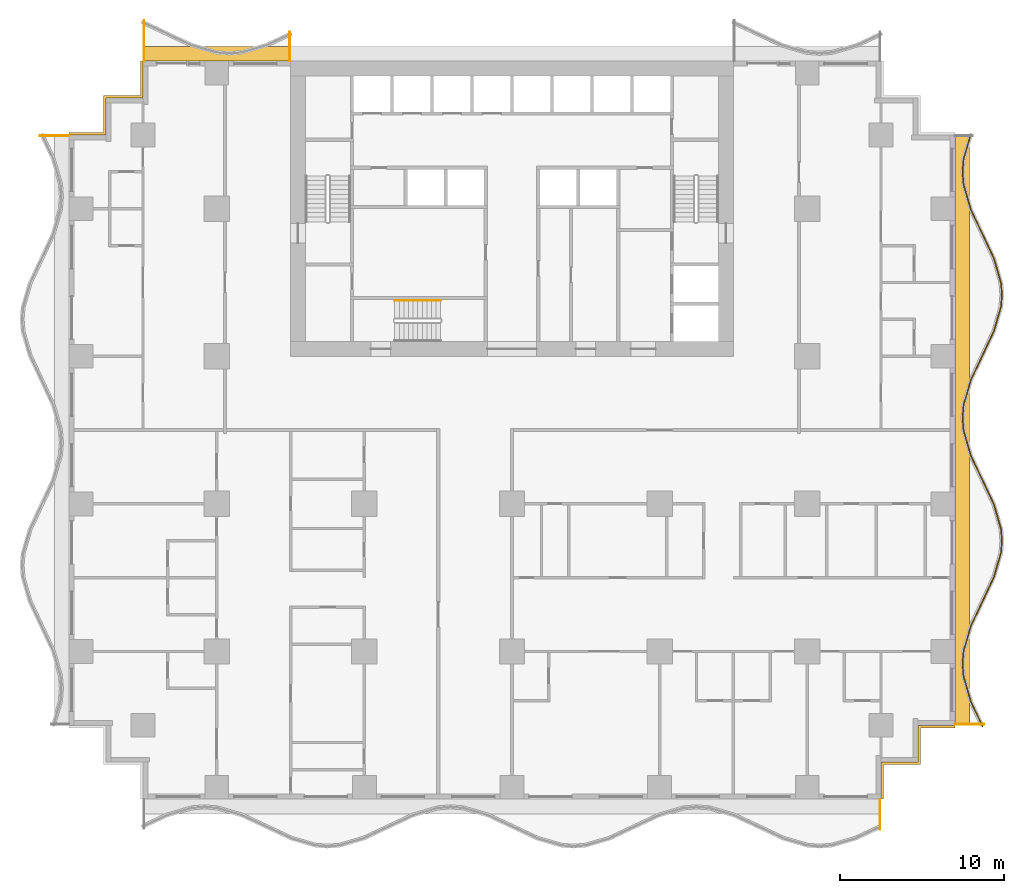
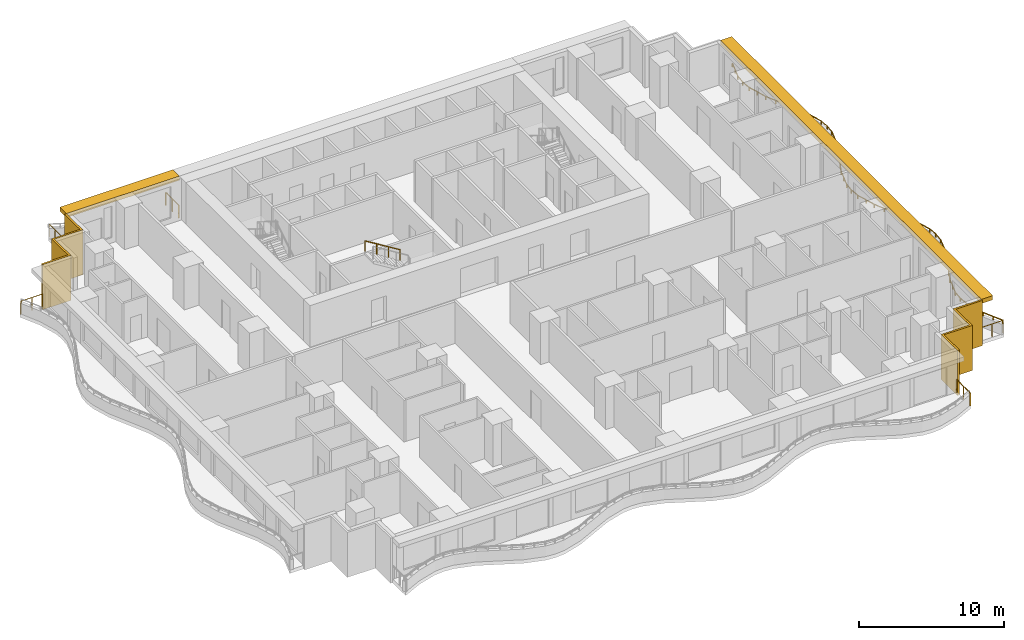
# One storey, part 11 of 14: 7 railings, 4 shading devices.
"""IFC4 building model written with IfcOpenShell, lengths in metres."""

from ifc_helpers import new_model, si_unit, direction, frame, origin, origin_2d, place, context, subcontext, project, spatial, polyline, rectangle, circle, outline, extrude, material, layer, layer_set, type_object, element, save


model = new_model("IFC4")

# Units and contexts
model_context = context("Model", 3, precision=1e-05, world=origin(), true_north=direction((0.0, 1.0)))
body_context = subcontext(model_context, "Body", "Model", "MODEL_VIEW")
ifc_project = project(units=[si_unit("LENGTHUNIT", "METRE"), si_unit("AREAUNIT", "SQUARE_METRE"), si_unit("VOLUMEUNIT", "CUBIC_METRE"), si_unit("PLANEANGLEUNIT", "RADIAN"), si_unit("MASSUNIT", "GRAM", prefix="KILO")], contexts=[model_context])

# Site, building, storey
site_placement = place(None, origin())
site = spatial("IfcSite", under=ifc_project, at=site_placement, CompositionType="ELEMENT")
building_placement = place(site_placement, origin())
building = spatial("IfcBuilding", under=site, at=building_placement, Name="Orbiselva Terraces", CompositionType="ELEMENT")
storey_placement = place(building_placement, frame((0.0, 0.0, 30.2)))
storey = spatial("IfcBuildingStorey", under=building, at=storey_placement, Name="L07", CompositionType="ELEMENT", Elevation=30.2)

# Railings
ifc_material_1 = material(Name="Stainless steel", Category="steel")
railing_type_1 = type_object("IfcRailingType", Name="CORE-HANDRAIL-900", PredefinedType="HANDRAIL", material=ifc_material_1)
railing_1_placement = place(storey_placement, frame((-4.35, 7.9, 2.072727)))
element("IfcRailing", 1, at=railing_1_placement, inside=storey, type_object=railing_type_1, Name="L07 S3 stair handrail 2", PredefinedType="HANDRAIL", context=body_context, shape_type="SweptSolid", body=[
    extrude(circle(Radius=0.024, at=origin_2d()), frame((0.0, 0.0, 0.876), z_axis=(-0.851088519012, 0.0, 0.52502222125), x_axis=(0.0, -1.0, 0.0)), (0.0, 0.0, 1.0), 3.289905),
    extrude(circle(Radius=0.021, at=origin_2d()), origin(), (0.0, 0.0, 1.0), 0.852),
    extrude(circle(Radius=0.021, at=origin_2d()), frame((-0.933333, 0.0, 0.575758)), (0.0, 0.0, 1.0), 0.852),
    extrude(circle(Radius=0.021, at=origin_2d()), frame((-1.866667, 0.0, 1.151515)), (0.0, 0.0, 1.0), 0.852),
    extrude(circle(Radius=0.021, at=origin_2d()), frame((-2.8, 0.0, 1.727273)), (0.0, 0.0, 1.0), 0.852),
])
ifc_material_2 = material(Name="Bonded two-ply safety glass balustrade, stainless steel posts", Category="steel")
railing_type_2 = type_object("IfcRailingType", Name="ENV-BALUSTRADE-1200", PredefinedType="BALUSTRADE", material=ifc_material_2)
railing_2_placement = place(storey_placement, frame((28.686882, -18.053191, 0.9)))
element("IfcRailing", 2, at=railing_2_placement, inside=storey, type_object=railing_type_2, Name="Balcony balustrade L07 E", PredefinedType="BALUSTRADE", context=body_context, shape_type="SweptSolid", body=[
    extrude(outline(polyline([(0.028868, 0.0), (0.014434, 0.025), (-0.014434, 0.025), (-0.028868, 0.0), (-0.014434, -0.025), (0.014434, -0.025), (0.028868, 0.0)])), frame((0.0, 0.0, 0.275), z_axis=(-0.425530342069, 0.904944157382, 0.0), x_axis=(-0.904944157382, -0.425530342069, 0.0)), (0.0, 0.0, 1.0), 1.667376),
    extrude(outline(polyline([(0.028868, 0.0), (0.014434, 0.025), (-0.014434, 0.025), (-0.028868, 0.0), (-0.014434, -0.025), (0.014434, -0.025), (0.028868, 0.0)])), frame((-0.709519, 1.508882, 0.275), z_axis=(-0.279070928786, 0.960270491427, 0.0), x_axis=(-0.960270491427, -0.279070928786, 0.0)), (0.0, 0.0, 1.0), 1.584712),
    extrude(outline(polyline([(0.028868, 0.0), (0.014434, 0.025), (-0.014434, 0.025), (-0.028868, 0.0), (-0.014434, -0.025), (0.014434, -0.025), (0.028868, 0.0)])), frame((-1.151766, 3.030634, 0.275), z_axis=(-0.078071061106, 0.996947796737, 0.0), x_axis=(-0.996947796737, -0.078071061106, 0.0)), (0.0, 0.0, 1.0), 0.774922),
    extrude(outline(polyline([(0.028868, 0.0), (0.014434, 0.025), (-0.014434, 0.025), (-0.028868, 0.0), (-0.014434, -0.025), (0.014434, -0.025), (0.028868, 0.0)])), frame((-1.212265, 3.803191, 0.275), z_axis=(0.078071061106, 0.996947796737, 0.0), x_axis=(-0.996947796737, 0.078071061106, 0.0)), (0.0, 0.0, 1.0), 0.774922),
    extrude(outline(polyline([(0.028868, 0.0), (0.014434, 0.025), (-0.014434, 0.025), (-0.028868, 0.0), (-0.014434, -0.025), (0.014434, -0.025), (0.028868, 0.0)])), frame((-1.151766, 4.575748, 0.275), z_axis=(0.279070928786, 0.960270491427, 0.0), x_axis=(-0.960270491427, 0.279070928786, 0.0)), (0.0, 0.0, 1.0), 1.584712),
    extrude(outline(polyline([(0.028868, 0.0), (0.014434, 0.025), (-0.014434, 0.025), (-0.028868, 0.0), (-0.014434, -0.025), (0.014434, -0.025), (0.028868, 0.0)])), frame((-0.709519, 6.0975, 0.275), z_axis=(0.425530342069, 0.904944157382, 0.0), x_axis=(-0.904944157382, 0.425530342069, 0.0)), (0.0, 0.0, 1.0), 1.667376),
    extrude(outline(polyline([(0.028868, 0.0), (0.014434, 0.025), (-0.014434, 0.025), (-0.028868, 0.0), (-0.014434, -0.025), (0.014434, -0.025), (0.028868, 0.0)])), frame((0.0, 7.606382, 0.275), z_axis=(0.425529912322, 0.904944359461, 0.0), x_axis=(-0.904944359461, 0.425529912322, 0.0)), (0.0, 0.0, 1.0), 1.647746),
    extrude(outline(polyline([(0.028868, 0.0), (0.014434, 0.025), (-0.014434, 0.025), (-0.028868, 0.0), (-0.014434, -0.025), (0.014434, -0.025), (0.028868, 0.0)])), frame((0.701165, 9.0975, 0.275), z_axis=(0.279071528957, 0.960270317007, 0.0), x_axis=(-0.960270317007, 0.279071528957, 0.0)), (0.0, 0.0, 1.0), 1.539408),
    extrude(outline(polyline([(0.028868, 0.0), (0.014434, 0.025), (-0.014434, 0.025), (-0.028868, 0.0), (-0.014434, -0.025), (0.014434, -0.025), (0.028868, 0.0)])), frame((1.13077, 10.575748, 0.275), z_axis=(0.078069536776, 0.996947916106, 0.0), x_axis=(-0.996947916106, 0.078069536776, 0.0)), (0.0, 0.0, 1.0), 0.72967),
    extrude(outline(polyline([(0.028868, 0.0), (0.014434, 0.025), (-0.014434, 0.025), (-0.028868, 0.0), (-0.014434, -0.025), (0.014434, -0.025), (0.028868, 0.0)])), frame((1.187735, 11.303191, 0.275), z_axis=(-0.078069536776, 0.996947916106, 0.0), x_axis=(-0.996947916106, -0.078069536776, 0.0)), (0.0, 0.0, 1.0), 0.72967),
    extrude(outline(polyline([(0.028868, 0.0), (0.014434, 0.025), (-0.014434, 0.025), (-0.028868, 0.0), (-0.014434, -0.025), (0.014434, -0.025), (0.028868, 0.0)])), frame((1.13077, 12.030634, 0.275), z_axis=(-0.279071528957, 0.960270317007, 0.0), x_axis=(-0.960270317007, -0.279071528957, 0.0)), (0.0, 0.0, 1.0), 1.539408),
    extrude(outline(polyline([(0.028868, 0.0), (0.014434, 0.025), (-0.014434, 0.025), (-0.028868, 0.0), (-0.014434, -0.025), (0.014434, -0.025), (0.028868, 0.0)])), frame((0.701165, 13.508882, 0.275), z_axis=(-0.425529912322, 0.904944359461, 0.0), x_axis=(-0.904944359461, -0.425529912322, 0.0)), (0.0, 0.0, 1.0), 1.647746),
    extrude(outline(polyline([(0.028868, 0.0), (0.014434, 0.025), (-0.014434, 0.025), (-0.028868, 0.0), (-0.014434, -0.025), (0.014434, -0.025), (0.028868, 0.0)])), frame((0.0, 15.0, 0.275), z_axis=(-0.425530342069, 0.904944157382, 0.0), x_axis=(-0.904944157382, -0.425530342069, 0.0)), (0.0, 0.0, 1.0), 1.667376),
    extrude(outline(polyline([(0.028868, 0.0), (0.014434, 0.025), (-0.014434, 0.025), (-0.028868, 0.0), (-0.014434, -0.025), (0.014434, -0.025), (0.028868, 0.0)])), frame((-0.709519, 16.508882, 0.275), z_axis=(-0.279070928786, 0.960270491427, 0.0), x_axis=(-0.960270491427, -0.279070928786, 0.0)), (0.0, 0.0, 1.0), 1.584712),
    extrude(outline(polyline([(0.028868, 0.0), (0.014434, 0.025), (-0.014434, 0.025), (-0.028868, 0.0), (-0.014434, -0.025), (0.014434, -0.025), (0.028868, 0.0)])), frame((-1.151766, 18.030634, 0.275), z_axis=(-0.078071061106, 0.996947796737, 0.0), x_axis=(-0.996947796737, -0.078071061106, 0.0)), (0.0, 0.0, 1.0), 0.774922),
    extrude(outline(polyline([(0.028868, 0.0), (0.014434, 0.025), (-0.014434, 0.025), (-0.028868, 0.0), (-0.014434, -0.025), (0.014434, -0.025), (0.028868, 0.0)])), frame((-1.212265, 18.803191, 0.275), z_axis=(0.078071061106, 0.996947796737, 0.0), x_axis=(-0.996947796737, 0.078071061106, 0.0)), (0.0, 0.0, 1.0), 0.774922),
    extrude(outline(polyline([(0.028868, 0.0), (0.014434, 0.025), (-0.014434, 0.025), (-0.028868, 0.0), (-0.014434, -0.025), (0.014434, -0.025), (0.028868, 0.0)])), frame((-1.151766, 19.575748, 0.275), z_axis=(0.279070928786, 0.960270491427, 0.0), x_axis=(-0.960270491427, 0.279070928786, 0.0)), (0.0, 0.0, 1.0), 1.584712),
    extrude(outline(polyline([(0.028868, 0.0), (0.014434, 0.025), (-0.014434, 0.025), (-0.028868, 0.0), (-0.014434, -0.025), (0.014434, -0.025), (0.028868, 0.0)])), frame((-0.709519, 21.0975, 0.275), z_axis=(0.425530342069, 0.904944157382, 0.0), x_axis=(-0.904944157382, 0.425530342069, 0.0)), (0.0, 0.0, 1.0), 1.667376),
    extrude(outline(polyline([(0.028868, 0.0), (0.014434, 0.025), (-0.014434, 0.025), (-0.028868, 0.0), (-0.014434, -0.025), (0.014434, -0.025), (0.028868, 0.0)])), frame((0.0, 22.606382, 0.275), z_axis=(0.425529912322, 0.904944359461, 0.0), x_axis=(-0.904944359461, 0.425529912322, 0.0)), (0.0, 0.0, 1.0), 1.647746),
    extrude(outline(polyline([(0.028868, 0.0), (0.014434, 0.025), (-0.014434, 0.025), (-0.028868, 0.0), (-0.014434, -0.025), (0.014434, -0.025), (0.028868, 0.0)])), frame((0.701165, 24.0975, 0.275), z_axis=(0.279071528957, 0.960270317007, 0.0), x_axis=(-0.960270317007, 0.279071528957, 0.0)), (0.0, 0.0, 1.0), 1.539408),
    extrude(outline(polyline([(0.028868, 0.0), (0.014434, 0.025), (-0.014434, 0.025), (-0.028868, 0.0), (-0.014434, -0.025), (0.014434, -0.025), (0.028868, 0.0)])), frame((1.13077, 25.575748, 0.275), z_axis=(0.078069536776, 0.996947916106, 0.0), x_axis=(-0.996947916106, 0.078069536776, 0.0)), (0.0, 0.0, 1.0), 0.72967),
    extrude(outline(polyline([(0.028868, 0.0), (0.014434, 0.025), (-0.014434, 0.025), (-0.028868, 0.0), (-0.014434, -0.025), (0.014434, -0.025), (0.028868, 0.0)])), frame((1.187735, 26.303191, 0.275), z_axis=(-0.078069536776, 0.996947916106, 0.0), x_axis=(-0.996947916106, -0.078069536776, 0.0)), (0.0, 0.0, 1.0), 0.72967),
    extrude(outline(polyline([(0.028868, 0.0), (0.014434, 0.025), (-0.014434, 0.025), (-0.028868, 0.0), (-0.014434, -0.025), (0.014434, -0.025), (0.028868, 0.0)])), frame((1.13077, 27.030634, 0.275), z_axis=(-0.279071528957, 0.960270317007, 0.0), x_axis=(-0.960270317007, -0.279071528957, 0.0)), (0.0, 0.0, 1.0), 1.539408),
    extrude(outline(polyline([(0.028868, 0.0), (0.014434, 0.025), (-0.014434, 0.025), (-0.028868, 0.0), (-0.014434, -0.025), (0.014434, -0.025), (0.028868, 0.0)])), frame((0.701165, 28.508882, 0.275), z_axis=(-0.425529912322, 0.904944359461, 0.0), x_axis=(-0.904944359461, -0.425529912322, 0.0)), (0.0, 0.0, 1.0), 1.647746),
    extrude(outline(polyline([(0.028868, 0.0), (0.014434, 0.025), (-0.014434, 0.025), (-0.028868, 0.0), (-0.014434, -0.025), (0.014434, -0.025), (0.028868, 0.0)])), frame((0.0, 30.0, 0.275), z_axis=(-0.425530342069, 0.904944157382, 0.0), x_axis=(-0.904944157382, -0.425530342069, 0.0)), (0.0, 0.0, 1.0), 1.667376),
    extrude(outline(polyline([(0.028868, 0.0), (0.014434, 0.025), (-0.014434, 0.025), (-0.028868, 0.0), (-0.014434, -0.025), (0.014434, -0.025), (0.028868, 0.0)])), frame((-0.709519, 31.508882, 0.275), z_axis=(-0.279070928786, 0.960270491427, 0.0), x_axis=(-0.960270491427, -0.279070928786, 0.0)), (0.0, 0.0, 1.0), 1.584712),
    extrude(outline(polyline([(0.028868, 0.0), (0.014434, 0.025), (-0.014434, 0.025), (-0.028868, 0.0), (-0.014434, -0.025), (0.014434, -0.025), (0.028868, 0.0)])), frame((-1.151766, 33.030634, 0.275), z_axis=(-0.078071061106, 0.996947796737, 0.0), x_axis=(-0.996947796737, -0.078071061106, 0.0)), (0.0, 0.0, 1.0), 0.774922),
    extrude(outline(polyline([(0.028868, 0.0), (0.014434, 0.025), (-0.014434, 0.025), (-0.028868, 0.0), (-0.014434, -0.025), (0.014434, -0.025), (0.028868, 0.0)])), frame((-1.212265, 33.803191, 0.275), z_axis=(0.078071061106, 0.996947796737, 0.0), x_axis=(-0.996947796737, 0.078071061106, 0.0)), (0.0, 0.0, 1.0), 0.774922),
    extrude(outline(polyline([(0.028868, 0.0), (0.014434, 0.025), (-0.014434, 0.025), (-0.028868, 0.0), (-0.014434, -0.025), (0.014434, -0.025), (0.028868, 0.0)])), frame((-1.151766, 34.575748, 0.275), z_axis=(0.279070966973, 0.96027048033, 0.0), x_axis=(-0.96027048033, 0.279070966973, 0.0)), (0.0, 0.0, 1.0), 1.574897),
    extrude(rectangle(XDim=0.05, YDim=0.05, at=origin_2d()), origin(), (0.0, 0.0, 1.0), 0.25),
    extrude(rectangle(XDim=0.05, YDim=0.05, at=origin_2d()), frame((-0.35476, 0.754441, 0.0)), (0.0, 0.0, 1.0), 0.25),
    extrude(rectangle(XDim=0.05, YDim=0.05, at=origin_2d()), frame((-0.709519, 1.508882, 0.0)), (0.0, 0.0, 1.0), 0.25),
    extrude(rectangle(XDim=0.05, YDim=0.05, at=origin_2d()), frame((-0.930643, 2.269758, 0.0)), (0.0, 0.0, 1.0), 0.25),
    extrude(rectangle(XDim=0.05, YDim=0.05, at=origin_2d()), frame((-1.151766, 3.030634, 0.0)), (0.0, 0.0, 1.0), 0.25),
    extrude(rectangle(XDim=0.05, YDim=0.05, at=origin_2d()), frame((-1.212265, 3.803191, 0.0)), (0.0, 0.0, 1.0), 0.25),
    extrude(rectangle(XDim=0.05, YDim=0.05, at=origin_2d()), frame((-1.151766, 4.575748, 0.0)), (0.0, 0.0, 1.0), 0.25),
    extrude(rectangle(XDim=0.05, YDim=0.05, at=origin_2d()), frame((-0.930643, 5.336624, 0.0)), (0.0, 0.0, 1.0), 0.25),
    extrude(rectangle(XDim=0.05, YDim=0.05, at=origin_2d()), frame((-0.709519, 6.0975, 0.0)), (0.0, 0.0, 1.0), 0.25),
    extrude(rectangle(XDim=0.05, YDim=0.05, at=origin_2d()), frame((-0.35476, 6.851941, 0.0)), (0.0, 0.0, 1.0), 0.25),
    extrude(rectangle(XDim=0.05, YDim=0.05, at=origin_2d()), frame((0.0, 7.606382, 0.0)), (0.0, 0.0, 1.0), 0.25),
    extrude(rectangle(XDim=0.05, YDim=0.05, at=origin_2d()), frame((0.350582, 8.351941, 0.0)), (0.0, 0.0, 1.0), 0.25),
    extrude(rectangle(XDim=0.05, YDim=0.05, at=origin_2d()), frame((0.701165, 9.0975, 0.0)), (0.0, 0.0, 1.0), 0.25),
    extrude(rectangle(XDim=0.05, YDim=0.05, at=origin_2d()), frame((0.915967, 9.836624, 0.0)), (0.0, 0.0, 1.0), 0.25),
    extrude(rectangle(XDim=0.05, YDim=0.05, at=origin_2d()), frame((1.13077, 10.575748, 0.0)), (0.0, 0.0, 1.0), 0.25),
    extrude(rectangle(XDim=0.05, YDim=0.05, at=origin_2d()), frame((1.187735, 11.303191, 0.0)), (0.0, 0.0, 1.0), 0.25),
    extrude(rectangle(XDim=0.05, YDim=0.05, at=origin_2d()), frame((1.13077, 12.030634, 0.0)), (0.0, 0.0, 1.0), 0.25),
    extrude(rectangle(XDim=0.05, YDim=0.05, at=origin_2d()), frame((0.915967, 12.769758, 0.0)), (0.0, 0.0, 1.0), 0.25),
    extrude(rectangle(XDim=0.05, YDim=0.05, at=origin_2d()), frame((0.701165, 13.508882, 0.0)), (0.0, 0.0, 1.0), 0.25),
    extrude(rectangle(XDim=0.05, YDim=0.05, at=origin_2d()), frame((0.350582, 14.254441, 0.0)), (0.0, 0.0, 1.0), 0.25),
    extrude(rectangle(XDim=0.05, YDim=0.05, at=origin_2d()), frame((0.0, 15.0, 0.0)), (0.0, 0.0, 1.0), 0.25),
    extrude(rectangle(XDim=0.05, YDim=0.05, at=origin_2d()), frame((-0.35476, 15.754441, 0.0)), (0.0, 0.0, 1.0), 0.25),
    extrude(rectangle(XDim=0.05, YDim=0.05, at=origin_2d()), frame((-0.709519, 16.508882, 0.0)), (0.0, 0.0, 1.0), 0.25),
    extrude(rectangle(XDim=0.05, YDim=0.05, at=origin_2d()), frame((-0.930643, 17.269758, 0.0)), (0.0, 0.0, 1.0), 0.25),
    extrude(rectangle(XDim=0.05, YDim=0.05, at=origin_2d()), frame((-1.151766, 18.030634, 0.0)), (0.0, 0.0, 1.0), 0.25),
    extrude(rectangle(XDim=0.05, YDim=0.05, at=origin_2d()), frame((-1.212265, 18.803191, 0.0)), (0.0, 0.0, 1.0), 0.25),
    extrude(rectangle(XDim=0.05, YDim=0.05, at=origin_2d()), frame((-1.151766, 19.575748, 0.0)), (0.0, 0.0, 1.0), 0.25),
    extrude(rectangle(XDim=0.05, YDim=0.05, at=origin_2d()), frame((-0.930643, 20.336624, 0.0)), (0.0, 0.0, 1.0), 0.25),
    extrude(rectangle(XDim=0.05, YDim=0.05, at=origin_2d()), frame((-0.709519, 21.0975, 0.0)), (0.0, 0.0, 1.0), 0.25),
    extrude(rectangle(XDim=0.05, YDim=0.05, at=origin_2d()), frame((-0.35476, 21.851941, 0.0)), (0.0, 0.0, 1.0), 0.25),
    extrude(rectangle(XDim=0.05, YDim=0.05, at=origin_2d()), frame((0.0, 22.606382, 0.0)), (0.0, 0.0, 1.0), 0.25),
    extrude(rectangle(XDim=0.05, YDim=0.05, at=origin_2d()), frame((0.350582, 23.351941, 0.0)), (0.0, 0.0, 1.0), 0.25),
    extrude(rectangle(XDim=0.05, YDim=0.05, at=origin_2d()), frame((0.701165, 24.0975, 0.0)), (0.0, 0.0, 1.0), 0.25),
    extrude(rectangle(XDim=0.05, YDim=0.05, at=origin_2d()), frame((0.915967, 24.836624, 0.0)), (0.0, 0.0, 1.0), 0.25),
    extrude(rectangle(XDim=0.05, YDim=0.05, at=origin_2d()), frame((1.13077, 25.575748, 0.0)), (0.0, 0.0, 1.0), 0.25),
    extrude(rectangle(XDim=0.05, YDim=0.05, at=origin_2d()), frame((1.187735, 26.303191, 0.0)), (0.0, 0.0, 1.0), 0.25),
    extrude(rectangle(XDim=0.05, YDim=0.05, at=origin_2d()), frame((1.13077, 27.030634, 0.0)), (0.0, 0.0, 1.0), 0.25),
    extrude(rectangle(XDim=0.05, YDim=0.05, at=origin_2d()), frame((0.915967, 27.769758, 0.0)), (0.0, 0.0, 1.0), 0.25),
    extrude(rectangle(XDim=0.05, YDim=0.05, at=origin_2d()), frame((0.701165, 28.508882, 0.0)), (0.0, 0.0, 1.0), 0.25),
    extrude(rectangle(XDim=0.05, YDim=0.05, at=origin_2d()), frame((0.350582, 29.254441, 0.0)), (0.0, 0.0, 1.0), 0.25),
    extrude(rectangle(XDim=0.05, YDim=0.05, at=origin_2d()), frame((0.0, 30.0, 0.0)), (0.0, 0.0, 1.0), 0.25),
    extrude(rectangle(XDim=0.05, YDim=0.05, at=origin_2d()), frame((-0.35476, 30.754441, 0.0)), (0.0, 0.0, 1.0), 0.25),
    extrude(rectangle(XDim=0.05, YDim=0.05, at=origin_2d()), frame((-0.709519, 31.508882, 0.0)), (0.0, 0.0, 1.0), 0.25),
    extrude(rectangle(XDim=0.05, YDim=0.05, at=origin_2d()), frame((-0.930643, 32.269758, 0.0)), (0.0, 0.0, 1.0), 0.25),
    extrude(rectangle(XDim=0.05, YDim=0.05, at=origin_2d()), frame((-1.151766, 33.030634, 0.0)), (0.0, 0.0, 1.0), 0.25),
    extrude(rectangle(XDim=0.05, YDim=0.05, at=origin_2d()), frame((-1.212265, 33.803191, 0.0)), (0.0, 0.0, 1.0), 0.25),
    extrude(rectangle(XDim=0.05, YDim=0.05, at=origin_2d()), frame((-1.151766, 34.575748, 0.0)), (0.0, 0.0, 1.0), 0.25),
    extrude(rectangle(XDim=0.05, YDim=0.05, at=origin_2d()), frame((-0.932012, 35.331912, 0.0)), (0.0, 0.0, 1.0), 0.25),
    extrude(rectangle(XDim=0.05, YDim=0.05, at=origin_2d()), frame((-0.712258, 36.088075, 0.0)), (0.0, 0.0, 1.0), 0.25),
])
ifc_material_3 = material(Name="Stainless steel rail and posts", Category="steel")
railing_type_3 = type_object("IfcRailingType", Name="ENV-GUARD-1105", PredefinedType="BALUSTRADE", material=ifc_material_3)
railing_3_placement = place(storey_placement, frame((22.44, -24.330156, 0.0)))
element("IfcRailing", 3, at=railing_3_placement, inside=storey, type_object=railing_type_3, Name="Balcony end guard L07 S", PredefinedType="BALUSTRADE", context=body_context, shape_type="SweptSolid", body=[
    extrude(outline(polyline([(0.028868, 0.0), (0.014434, 0.025), (-0.014434, 0.025), (-0.028868, 0.0), (-0.014434, -0.025), (0.014434, -0.025), (0.028868, 0.0)])), frame((0.0, 0.0, 1.08), z_axis=(0.0, 1.0, 0.0), x_axis=(-1.0, 0.0, 0.0)), (0.0, 0.0, 1.0), 1.805156),
    extrude(rectangle(XDim=0.05, YDim=0.05, at=origin_2d()), origin(), (0.0, 0.0, 1.0), 1.055),
    extrude(rectangle(XDim=0.05, YDim=0.05, at=origin_2d()), frame((0.0, 0.902578, 0.0)), (0.0, 0.0, 1.0), 1.055),
    extrude(rectangle(XDim=0.05, YDim=0.05, at=origin_2d()), frame((0.0, 1.805156, 0.0)), (0.0, 0.0, 1.0), 1.055),
])
railing_4_placement = place(storey_placement, frame((28.769844, -17.94, 0.0)))
element("IfcRailing", 4, at=railing_4_placement, inside=storey, type_object=railing_type_3, Name="Balcony end guard L07 E", PredefinedType="BALUSTRADE", context=body_context, shape_type="SweptSolid", body=[
    extrude(outline(polyline([(0.028868, 0.0), (0.014434, 0.025), (-0.014434, 0.025), (-0.028868, 0.0), (-0.014434, -0.025), (0.014434, -0.025), (0.028868, 0.0)])), frame((0.0, 0.0, 1.08), z_axis=(-1.0, 0.0, 0.0), x_axis=(0.0, -1.0, 0.0)), (0.0, 0.0, 1.0), 1.744844),
    extrude(rectangle(XDim=0.05, YDim=0.05, at=origin_2d()), origin(), (0.0, 0.0, 1.0), 1.055),
    extrude(rectangle(XDim=0.05, YDim=0.05, at=origin_2d()), frame((-0.872422, 0.0, 0.0)), (0.0, 0.0, 1.0), 1.055),
    extrude(rectangle(XDim=0.05, YDim=0.05, at=origin_2d()), frame((-1.744844, 0.0, 0.0)), (0.0, 0.0, 1.0), 1.055),
])
railing_5_placement = place(storey_placement, frame((-13.56, 24.269844, 0.0)))
element("IfcRailing", 5, at=railing_5_placement, inside=storey, type_object=railing_type_3, Name="Balcony end guard L07 NW", PredefinedType="BALUSTRADE", context=body_context, shape_type="SweptSolid", body=[
    extrude(outline(polyline([(0.028868, 0.0), (0.014434, 0.025), (-0.014434, 0.025), (-0.028868, 0.0), (-0.014434, -0.025), (0.014434, -0.025), (0.028868, 0.0)])), frame((0.0, 0.0, 1.08), z_axis=(0.0, -1.0, 0.0), x_axis=(1.0, 0.0, 0.0)), (0.0, 0.0, 1.0), 1.744844),
    extrude(rectangle(XDim=0.05, YDim=0.05, at=origin_2d()), origin(), (0.0, 0.0, 1.0), 1.055),
    extrude(rectangle(XDim=0.05, YDim=0.05, at=origin_2d()), frame((0.0, -0.872422, 0.0)), (0.0, 0.0, 1.0), 1.055),
    extrude(rectangle(XDim=0.05, YDim=0.05, at=origin_2d()), frame((0.0, -1.744844, 0.0)), (0.0, 0.0, 1.0), 1.055),
])
railing_6_placement = place(storey_placement, frame((-22.44, 24.980723, 0.0)))
element("IfcRailing", 6, at=railing_6_placement, inside=storey, type_object=railing_type_3, Name="Balcony end guard L07 NW", PredefinedType="BALUSTRADE", context=body_context, shape_type="SweptSolid", body=[
    extrude(outline(polyline([(0.028868, 0.0), (0.014434, 0.025), (-0.014434, 0.025), (-0.028868, 0.0), (-0.014434, -0.025), (0.014434, -0.025), (0.028868, 0.0)])), frame((0.0, 0.0, 1.08), z_axis=(0.0, -1.0, 0.0), x_axis=(1.0, 0.0, 0.0)), (0.0, 0.0, 1.0), 2.455723),
    extrude(rectangle(XDim=0.05, YDim=0.05, at=origin_2d()), origin(), (0.0, 0.0, 1.0), 1.055),
    extrude(rectangle(XDim=0.05, YDim=0.05, at=origin_2d()), frame((0.0, -0.818574, 0.0)), (0.0, 0.0, 1.0), 1.055),
    extrude(rectangle(XDim=0.05, YDim=0.05, at=origin_2d()), frame((0.0, -1.637149, 0.0)), (0.0, 0.0, 1.0), 1.055),
    extrude(rectangle(XDim=0.05, YDim=0.05, at=origin_2d()), frame((0.0, -2.455723, 0.0)), (0.0, 0.0, 1.0), 1.055),
])
railing_7_placement = place(storey_placement, frame((-28.769844, 17.94, 0.0)))
element("IfcRailing", 7, at=railing_7_placement, inside=storey, type_object=railing_type_3, Name="Balcony end guard L07 W", PredefinedType="BALUSTRADE", context=body_context, shape_type="SweptSolid", body=[
    extrude(outline(polyline([(0.028868, 0.0), (0.014434, 0.025), (-0.014434, 0.025), (-0.028868, 0.0), (-0.014434, -0.025), (0.014434, -0.025), (0.028868, 0.0)])), frame((0.0, 0.0, 1.08), z_axis=(1.0, 0.0, 0.0), x_axis=(0.0, 1.0, 0.0)), (0.0, 0.0, 1.0), 1.744844),
    extrude(rectangle(XDim=0.05, YDim=0.05, at=origin_2d()), origin(), (0.0, 0.0, 1.0), 1.055),
    extrude(rectangle(XDim=0.05, YDim=0.05, at=origin_2d()), frame((0.872422, 0.0, 0.0)), (0.0, 0.0, 1.0), 1.055),
    extrude(rectangle(XDim=0.05, YDim=0.05, at=origin_2d()), frame((1.744844, 0.0, 0.0)), (0.0, 0.0, 1.0), 1.055),
])

# Shading devices
ifc_material_4 = material(Name="Terracotta louvre screen", Category="masonry")
ifc_layer_1 = layer(ifc_material_4, 0.15)
ifc_layer_set_1 = layer_set([ifc_layer_1], Name="Terracotta louvre screen")
shading_device_type_1 = type_object("IfcShadingDeviceType", Name="ENV-SCREEN-150", PredefinedType="USERDEFINED", material=ifc_layer_set_1)
shading_device_1_placement = place(storey_placement, frame((0.0, 0.0, -0.3)))
element("IfcShadingDevice", 8, at=shading_device_1_placement, inside=storey, type_object=shading_device_type_1, Name="Louvre screen L07 NW", ObjectType="SCREEN", PredefinedType="USERDEFINED", context=body_context, shape_type="SweptSolid", body=[
    extrude(outline(polyline([(-22.65, 22.5), (-22.65, 20.4), (-24.9, 20.4), (-24.9, 18.15), (-27.0, 18.15), (-27.0, 18.0), (-24.75, 18.0), (-24.75, 20.25), (-22.5, 20.25), (-22.5, 22.5), (-22.65, 22.5)])), origin(), (0.0, 0.0, 1.0), 3.8),
])
shading_device_2_placement = place(storey_placement, frame((0.0, 0.0, -0.3)))
element("IfcShadingDevice", 9, at=shading_device_2_placement, inside=storey, type_object=shading_device_type_1, Name="Louvre screen L07 SE", ObjectType="SCREEN", PredefinedType="USERDEFINED", context=body_context, shape_type="SweptSolid", body=[
    extrude(outline(polyline([(22.65, -22.5), (22.65, -20.4), (24.9, -20.4), (24.9, -18.15), (27.0, -18.15), (27.0, -18.0), (24.75, -18.0), (24.75, -20.25), (22.5, -20.25), (22.5, -22.5), (22.65, -22.5)])), origin(), (0.0, 0.0, 1.0), 3.8),
])
ifc_material_5 = material(Name="Terracotta baguette sunshade", Category="masonry")
ifc_layer_2 = layer(ifc_material_5, 0.35)
ifc_layer_set_2 = layer_set([ifc_layer_2], Name="Terracotta baguette sunshade")
shading_device_type_2 = type_object("IfcShadingDeviceType", Name="ENV-SUNSHADE-900x350", PredefinedType="USERDEFINED", material=ifc_layer_set_2)
shading_device_3_placement = place(storey_placement, frame((0.0, 0.0, 3.15)))
element("IfcShadingDevice", 10, at=shading_device_3_placement, inside=storey, type_object=shading_device_type_2, Name="Sunshade band L07 E", ObjectType="SUNSHADE", PredefinedType="USERDEFINED", context=body_context, shape_type="SweptSolid", body=[
    extrude(outline(polyline([(27.9, -18.0), (27.9, 18.0), (27.0, 18.0), (27.0, -18.0), (27.9, -18.0)])), origin(), (0.0, 0.0, 1.0), 0.35),
])
shading_device_4_placement = place(storey_placement, frame((0.0, 0.0, 3.15)))
element("IfcShadingDevice", 11, at=shading_device_4_placement, inside=storey, type_object=shading_device_type_2, Name="Sunshade band L07 NW", ObjectType="SUNSHADE", PredefinedType="USERDEFINED", context=body_context, shape_type="SweptSolid", body=[
    extrude(outline(polyline([(-13.5, 23.4), (-22.5, 23.4), (-22.5, 22.5), (-13.5, 22.5), (-13.5, 23.4)])), origin(), (0.0, 0.0, 1.0), 0.35),
])

save(model, "model.ifc")
